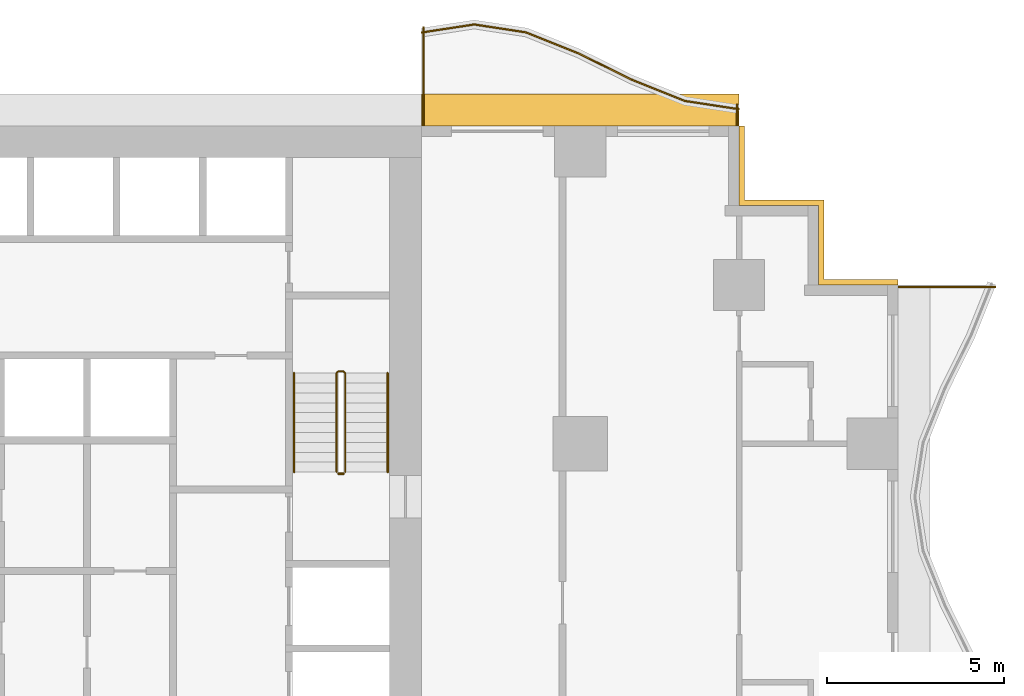
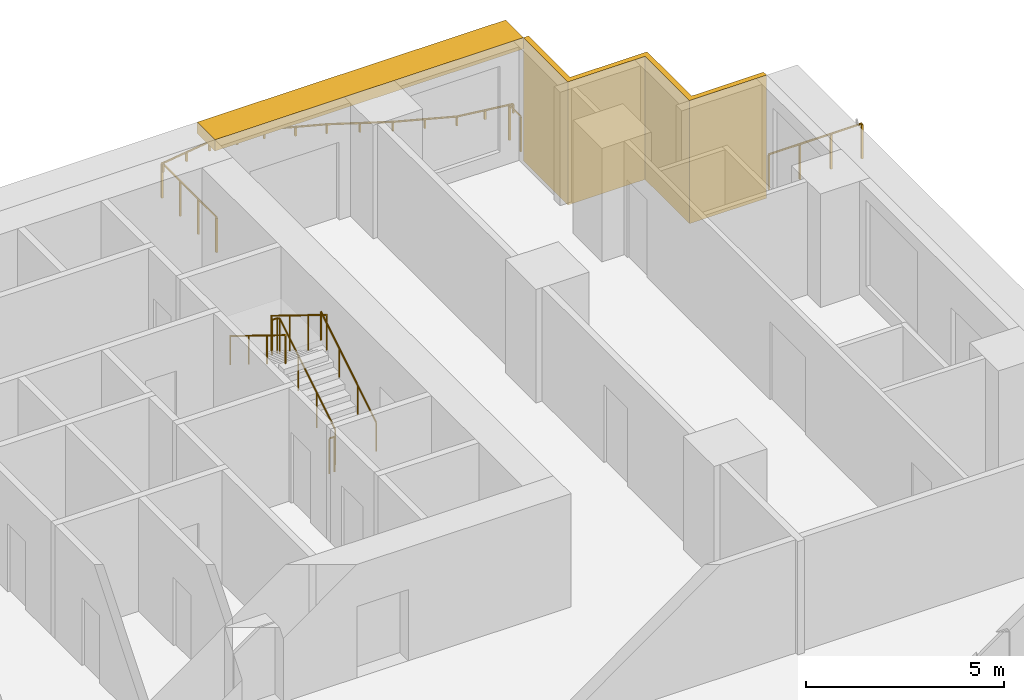
# One storey, part 14 of 14: 8 railings, 2 shading devices.
"""IFC4 building model written with IfcOpenShell, lengths in metres."""

from ifc_helpers import new_model, si_unit, direction, frame, origin, origin_2d, place, context, subcontext, project, spatial, polyline, rectangle, circle, outline, extrude, material, layer, layer_set, type_object, element, save


model = new_model("IFC4")

# Units and contexts
model_context = context("Model", 3, precision=1e-05, world=origin(), true_north=direction((0.0, 1.0)))
body_context = subcontext(model_context, "Body", "Model", "MODEL_VIEW")
ifc_project = project(units=[si_unit("LENGTHUNIT", "METRE"), si_unit("AREAUNIT", "SQUARE_METRE"), si_unit("VOLUMEUNIT", "CUBIC_METRE"), si_unit("PLANEANGLEUNIT", "RADIAN"), si_unit("MASSUNIT", "GRAM", prefix="KILO")], contexts=[model_context])

# Site, building, storey
site_placement = place(None, origin())
site = spatial("IfcSite", under=ifc_project, at=site_placement, CompositionType="ELEMENT")
building_placement = place(site_placement, origin())
building = spatial("IfcBuilding", under=site, at=building_placement, Name="Orbiselva Terraces", CompositionType="ELEMENT")
storey_placement = place(building_placement, frame((0.0, 0.0, 37.8)))
storey = spatial("IfcBuildingStorey", under=building, at=storey_placement, Name="L09", CompositionType="ELEMENT", Elevation=37.8)

# Railings
ifc_material_1 = material(Name="Stainless steel", Category="steel")
railing_type_1 = type_object("IfcRailingType", Name="CORE-GUARD-1100", PredefinedType="GUARDRAIL", material=ifc_material_1)
railing_1_placement = place(storey_placement, frame((11.35, 12.7, 0.172727)))
element("IfcRailing", 1, at=railing_1_placement, inside=storey, type_object=railing_type_1, Name="L09 S2 stair guard 1", PredefinedType="GUARDRAIL", context=body_context, shape_type="SweptSolid", body=[
    extrude(circle(Radius=0.024, at=origin_2d()), frame((0.0, 0.0, 1.081), z_axis=(0.0, 0.851088519012, 0.52502222125), x_axis=(-1.0, 0.0, 0.0)), (0.0, 0.0, 1.0), 3.289905),
    extrude(circle(Radius=0.024, at=origin_2d()), frame((0.0, 2.8, 2.808273), z_axis=(-0.707106781187, 0.707106781187, 0.0), x_axis=(-0.707106781187, -0.707106781187, 0.0)), (0.0, 0.0, 1.0), 0.070711),
    extrude(circle(Radius=0.024, at=origin_2d()), frame((-0.05, 2.85, 2.808273), z_axis=(-1.0, 0.0, 0.0), x_axis=(0.0, -1.0, 0.0)), (0.0, 0.0, 1.0), 0.15),
    extrude(circle(Radius=0.024, at=origin_2d()), frame((-0.2, 2.85, 2.808273), z_axis=(-0.267894925557, -0.267894925557, 0.925453736133), x_axis=(0.707106781187, -0.707106781187, 0.0)), (0.0, 0.0, 1.0), 0.18664),
    extrude(circle(Radius=0.024, at=origin_2d()), frame((-0.25, 2.8, 2.981), z_axis=(0.0, -0.851088519012, 0.52502222125), x_axis=(1.0, 0.0, 0.0)), (0.0, 0.0, 1.0), 3.289905),
    extrude(circle(Radius=0.021, at=origin_2d()), origin(), (0.0, 0.0, 1.0), 1.057),
    extrude(circle(Radius=0.021, at=origin_2d()), frame((0.0, 0.933333, 0.575758)), (0.0, 0.0, 1.0), 1.057),
    extrude(circle(Radius=0.021, at=origin_2d()), frame((0.0, 1.866667, 1.151515)), (0.0, 0.0, 1.0), 1.057),
    extrude(circle(Radius=0.021, at=origin_2d()), frame((0.0, 2.8, 1.727273)), (0.0, 0.0, 1.0), 1.057),
    extrude(circle(Radius=0.021, at=origin_2d()), frame((-0.05, 2.85, 1.727273)), (0.0, 0.0, 1.0), 1.057),
    extrude(circle(Radius=0.021, at=origin_2d()), frame((-0.2, 2.85, 1.727273)), (0.0, 0.0, 1.0), 1.057),
    extrude(circle(Radius=0.021, at=origin_2d()), frame((-0.25, 2.8, 1.9)), (0.0, 0.0, 1.0), 1.057),
    extrude(circle(Radius=0.021, at=origin_2d()), frame((-0.25, 1.866667, 2.475758)), (0.0, 0.0, 1.0), 1.057),
    extrude(circle(Radius=0.021, at=origin_2d()), frame((-0.25, 0.933333, 3.051515)), (0.0, 0.0, 1.0), 1.057),
    extrude(circle(Radius=0.021, at=origin_2d()), frame((-0.25, 0.0, 3.627273)), (0.0, 0.0, 1.0), 1.057),
])
railing_2_placement = place(storey_placement, frame((11.3, 12.65, 0.0)))
element("IfcRailing", 2, at=railing_2_placement, inside=storey, type_object=railing_type_1, Name="L09 S2 stair guard 2", PredefinedType="GUARDRAIL", context=body_context, shape_type="SweptSolid", body=[
    extrude(circle(Radius=0.024, at=origin_2d()), frame((0.0, 0.0, 1.081), z_axis=(-1.0, 0.0, 0.0), x_axis=(0.0, -1.0, 0.0)), (0.0, 0.0, 1.0), 0.15),
    extrude(circle(Radius=0.021, at=origin_2d()), origin(), (0.0, 0.0, 1.0), 1.057),
    extrude(circle(Radius=0.021, at=origin_2d()), frame((-0.15, 0.0, 0.0)), (0.0, 0.0, 1.0), 1.057),
])
railing_type_2 = type_object("IfcRailingType", Name="CORE-HANDRAIL-900", PredefinedType="HANDRAIL", material=ifc_material_1)
railing_3_placement = place(storey_placement, frame((12.55, 12.7, 0.172727)))
element("IfcRailing", 3, at=railing_3_placement, inside=storey, type_object=railing_type_2, Name="L09 S2 stair handrail 1", PredefinedType="HANDRAIL", context=body_context, shape_type="SweptSolid", body=[
    extrude(circle(Radius=0.024, at=origin_2d()), frame((0.0, 0.0, 0.876), z_axis=(0.0, 0.851088519012, 0.52502222125), x_axis=(-1.0, 0.0, 0.0)), (0.0, 0.0, 1.0), 3.289905),
    extrude(circle(Radius=0.021, at=origin_2d()), origin(), (0.0, 0.0, 1.0), 0.852),
    extrude(circle(Radius=0.021, at=origin_2d()), frame((0.0, 0.933333, 0.575758)), (0.0, 0.0, 1.0), 0.852),
    extrude(circle(Radius=0.021, at=origin_2d()), frame((0.0, 1.866667, 1.151515)), (0.0, 0.0, 1.0), 0.852),
    extrude(circle(Radius=0.021, at=origin_2d()), frame((0.0, 2.8, 1.727273)), (0.0, 0.0, 1.0), 0.852),
])
railing_4_placement = place(storey_placement, frame((9.9, 15.5, 2.072727)))
element("IfcRailing", 4, at=railing_4_placement, inside=storey, type_object=railing_type_2, Name="L09 S2 stair handrail 2", PredefinedType="HANDRAIL", context=body_context, shape_type="SweptSolid", body=[
    extrude(circle(Radius=0.024, at=origin_2d()), frame((0.0, 0.0, 0.876), z_axis=(0.0, -0.851088519012, 0.52502222125), x_axis=(1.0, 0.0, 0.0)), (0.0, 0.0, 1.0), 3.289905),
    extrude(circle(Radius=0.021, at=origin_2d()), origin(), (0.0, 0.0, 1.0), 0.852),
    extrude(circle(Radius=0.021, at=origin_2d()), frame((0.0, -0.933333, 0.575758)), (0.0, 0.0, 1.0), 0.852),
    extrude(circle(Radius=0.021, at=origin_2d()), frame((0.0, -1.866667, 1.151515)), (0.0, 0.0, 1.0), 0.852),
    extrude(circle(Radius=0.021, at=origin_2d()), frame((0.0, -2.8, 1.727273)), (0.0, 0.0, 1.0), 0.852),
])
ifc_material_2 = material(Name="Bonded two-ply safety glass balustrade, stainless steel posts", Category="steel")
railing_type_3 = type_object("IfcRailingType", Name="ENV-BALUSTRADE-1200", PredefinedType="BALUSTRADE", material=ifc_material_2)
railing_5_placement = place(storey_placement, frame((22.481121, 22.976434, 0.9)))
element("IfcRailing", 5, at=railing_5_placement, inside=storey, type_object=railing_type_3, Name="Balcony balustrade L09 NE", PredefinedType="BALUSTRADE", context=body_context, shape_type="SweptSolid", body=[
    extrude(outline(polyline([(0.028868, 0.0), (0.014434, 0.025), (-0.014434, 0.025), (-0.028868, 0.0), (-0.014434, -0.025), (0.014434, -0.025), (0.028868, 0.0)])), frame((0.0, 0.0, 0.275), z_axis=(-0.988528588529, 0.151033869252, 0.0), x_axis=(-0.151033869252, -0.988528588529, 0.0)), (0.0, 0.0, 1.0), 1.531776),
    extrude(outline(polyline([(0.028868, 0.0), (0.014434, 0.025), (-0.014434, 0.025), (-0.028868, 0.0), (-0.014434, -0.025), (0.014434, -0.025), (0.028868, 0.0)])), frame((-1.514204, 0.23135, 0.275), z_axis=(-0.92847681744, 0.371390359967, 0.0), x_axis=(-0.371390359967, -0.92847681744, 0.0)), (0.0, 0.0, 1.0), 1.634838),
    extrude(outline(polyline([(0.028868, 0.0), (0.014434, 0.025), (-0.014434, 0.025), (-0.028868, 0.0), (-0.014434, -0.025), (0.014434, -0.025), (0.028868, 0.0)])), frame((-3.032113, 0.838513, 0.275), z_axis=(-0.896416672454, 0.443212307306, 0.0), x_axis=(-0.443212307306, -0.896416672454, 0.0)), (0.0, 0.0, 1.0), 1.673329),
    extrude(outline(polyline([(0.028868, 0.0), (0.014434, 0.025), (-0.014434, 0.025), (-0.028868, 0.0), (-0.014434, -0.025), (0.014434, -0.025), (0.028868, 0.0)])), frame((-4.532113, 1.580153, 0.275), z_axis=(-0.928476561272, 0.371391000387, 0.0), x_axis=(-0.371391000387, -0.928476561272, 0.0)), (0.0, 0.0, 1.0), 1.596261),
    extrude(outline(polyline([(0.028868, 0.0), (0.014434, 0.025), (-0.014434, 0.025), (-0.028868, 0.0), (-0.014434, -0.025), (0.014434, -0.025), (0.028868, 0.0)])), frame((-6.014204, 2.17299, 0.275), z_axis=(-0.988528606898, 0.151033749027, 0.0), x_axis=(-0.151033749027, -0.988528606898, 0.0)), (0.0, 0.0, 1.0), 1.48394),
    extrude(outline(polyline([(0.028868, 0.0), (0.014434, 0.025), (-0.014434, 0.025), (-0.028868, 0.0), (-0.014434, -0.025), (0.014434, -0.025), (0.028868, 0.0)])), frame((-7.481121, 2.397115, 0.275), z_axis=(-0.988528624669, -0.151033632714, 0.0), x_axis=(0.151033632714, -0.988528624669, 0.0)), (0.0, 0.0, 1.0), 1.498309),
    extrude(rectangle(XDim=0.05, YDim=0.05, at=origin_2d()), origin(), (0.0, 0.0, 1.0), 0.25),
    extrude(rectangle(XDim=0.05, YDim=0.05, at=origin_2d()), frame((-0.757102, 0.115675, 0.0)), (0.0, 0.0, 1.0), 0.25),
    extrude(rectangle(XDim=0.05, YDim=0.05, at=origin_2d()), frame((-1.514204, 0.23135, 0.0)), (0.0, 0.0, 1.0), 0.25),
    extrude(rectangle(XDim=0.05, YDim=0.05, at=origin_2d()), frame((-2.273159, 0.534931, 0.0)), (0.0, 0.0, 1.0), 0.25),
    extrude(rectangle(XDim=0.05, YDim=0.05, at=origin_2d()), frame((-3.032113, 0.838513, 0.0)), (0.0, 0.0, 1.0), 0.25),
    extrude(rectangle(XDim=0.05, YDim=0.05, at=origin_2d()), frame((-3.782113, 1.209333, 0.0)), (0.0, 0.0, 1.0), 0.25),
    extrude(rectangle(XDim=0.05, YDim=0.05, at=origin_2d()), frame((-4.532113, 1.580153, 0.0)), (0.0, 0.0, 1.0), 0.25),
    extrude(rectangle(XDim=0.05, YDim=0.05, at=origin_2d()), frame((-5.273159, 1.876571, 0.0)), (0.0, 0.0, 1.0), 0.25),
    extrude(rectangle(XDim=0.05, YDim=0.05, at=origin_2d()), frame((-6.014204, 2.17299, 0.0)), (0.0, 0.0, 1.0), 0.25),
    extrude(rectangle(XDim=0.05, YDim=0.05, at=origin_2d()), frame((-6.747663, 2.285052, 0.0)), (0.0, 0.0, 1.0), 0.25),
    extrude(rectangle(XDim=0.05, YDim=0.05, at=origin_2d()), frame((-7.481121, 2.397115, 0.0)), (0.0, 0.0, 1.0), 0.25),
    extrude(rectangle(XDim=0.05, YDim=0.05, at=origin_2d()), frame((-8.221682, 2.283967, 0.0)), (0.0, 0.0, 1.0), 0.25),
    extrude(rectangle(XDim=0.05, YDim=0.05, at=origin_2d()), frame((-8.962242, 2.17082, 0.0)), (0.0, 0.0, 1.0), 0.25),
])
ifc_material_3 = material(Name="Stainless steel rail and posts", Category="steel")
railing_type_4 = type_object("IfcRailingType", Name="ENV-GUARD-1105", PredefinedType="BALUSTRADE", material=ifc_material_3)
railing_6_placement = place(storey_placement, frame((29.752788, 17.94, 0.0)))
element("IfcRailing", 6, at=railing_6_placement, inside=storey, type_object=railing_type_4, Name="Balcony end guard L09 E", PredefinedType="BALUSTRADE", context=body_context, shape_type="SweptSolid", body=[
    extrude(outline(polyline([(0.028868, 0.0), (0.014434, 0.025), (-0.014434, 0.025), (-0.028868, 0.0), (-0.014434, -0.025), (0.014434, -0.025), (0.028868, 0.0)])), frame((0.0, 0.0, 1.08), z_axis=(-1.0, 0.0, 0.0), x_axis=(0.0, -1.0, 0.0)), (0.0, 0.0, 1.0), 2.727788),
    extrude(rectangle(XDim=0.05, YDim=0.05, at=origin_2d()), origin(), (0.0, 0.0, 1.0), 1.055),
    extrude(rectangle(XDim=0.05, YDim=0.05, at=origin_2d()), frame((-0.909263, 0.0, 0.0)), (0.0, 0.0, 1.0), 1.055),
    extrude(rectangle(XDim=0.05, YDim=0.05, at=origin_2d()), frame((-1.818525, 0.0, 0.0)), (0.0, 0.0, 1.0), 1.055),
    extrude(rectangle(XDim=0.05, YDim=0.05, at=origin_2d()), frame((-2.727788, 0.0, 0.0)), (0.0, 0.0, 1.0), 1.055),
])
railing_7_placement = place(storey_placement, frame((22.44, 23.100379, 0.0)))
element("IfcRailing", 7, at=railing_7_placement, inside=storey, type_object=railing_type_4, Name="Balcony end guard L09 NE", PredefinedType="BALUSTRADE", context=body_context, shape_type="SweptSolid", body=[
    extrude(outline(polyline([(0.028868, 0.0), (0.014434, 0.025), (-0.014434, 0.025), (-0.028868, 0.0), (-0.014434, -0.025), (0.014434, -0.025), (0.028868, 0.0)])), frame((0.0, 0.0, 1.08), z_axis=(0.0, -1.0, 0.0), x_axis=(1.0, 0.0, 0.0)), (0.0, 0.0, 1.0), 0.575379),
    extrude(rectangle(XDim=0.05, YDim=0.05, at=origin_2d()), origin(), (0.0, 0.0, 1.0), 1.055),
    extrude(rectangle(XDim=0.05, YDim=0.05, at=origin_2d()), frame((0.0, -0.575379, 0.0)), (0.0, 0.0, 1.0), 1.055),
])
railing_8_placement = place(storey_placement, frame((13.56, 25.288239, 0.0)))
element("IfcRailing", 8, at=railing_8_placement, inside=storey, type_object=railing_type_4, Name="Balcony end guard L09 NE", PredefinedType="BALUSTRADE", context=body_context, shape_type="SweptSolid", body=[
    extrude(outline(polyline([(0.028868, 0.0), (0.014434, 0.025), (-0.014434, 0.025), (-0.028868, 0.0), (-0.014434, -0.025), (0.014434, -0.025), (0.028868, 0.0)])), frame((0.0, 0.0, 1.08), z_axis=(0.0, -1.0, 0.0), x_axis=(1.0, 0.0, 0.0)), (0.0, 0.0, 1.0), 2.763239),
    extrude(rectangle(XDim=0.05, YDim=0.05, at=origin_2d()), origin(), (0.0, 0.0, 1.0), 1.055),
    extrude(rectangle(XDim=0.05, YDim=0.05, at=origin_2d()), frame((0.0, -0.92108, 0.0)), (0.0, 0.0, 1.0), 1.055),
    extrude(rectangle(XDim=0.05, YDim=0.05, at=origin_2d()), frame((0.0, -1.842159, 0.0)), (0.0, 0.0, 1.0), 1.055),
    extrude(rectangle(XDim=0.05, YDim=0.05, at=origin_2d()), frame((0.0, -2.763239, 0.0)), (0.0, 0.0, 1.0), 1.055),
])

# Shading devices
ifc_material_4 = material(Name="Terracotta louvre screen", Category="masonry")
ifc_layer_1 = layer(ifc_material_4, 0.15)
ifc_layer_set_1 = layer_set([ifc_layer_1], Name="Terracotta louvre screen")
shading_device_type_1 = type_object("IfcShadingDeviceType", Name="ENV-SCREEN-150", PredefinedType="USERDEFINED", material=ifc_layer_set_1)
shading_device_1_placement = place(storey_placement, frame((0.0, 0.0, -0.3)))
element("IfcShadingDevice", 9, at=shading_device_1_placement, inside=storey, type_object=shading_device_type_1, Name="Louvre screen L09 NE", ObjectType="SCREEN", PredefinedType="USERDEFINED", context=body_context, shape_type="SweptSolid", body=[
    extrude(outline(polyline([(27.0, 18.15), (24.9, 18.15), (24.9, 20.4), (22.65, 20.4), (22.65, 22.5), (22.5, 22.5), (22.5, 20.25), (24.75, 20.25), (24.75, 18.0), (27.0, 18.0), (27.0, 18.15)])), origin(), (0.0, 0.0, 1.0), 3.8),
])
ifc_material_5 = material(Name="Terracotta baguette sunshade", Category="masonry")
ifc_layer_2 = layer(ifc_material_5, 0.35)
ifc_layer_set_2 = layer_set([ifc_layer_2], Name="Terracotta baguette sunshade")
shading_device_type_2 = type_object("IfcShadingDeviceType", Name="ENV-SUNSHADE-900x350", PredefinedType="USERDEFINED", material=ifc_layer_set_2)
shading_device_2_placement = place(storey_placement, frame((0.0, 0.0, 3.15)))
element("IfcShadingDevice", 10, at=shading_device_2_placement, inside=storey, type_object=shading_device_type_2, Name="Sunshade band L09 NE", ObjectType="SUNSHADE", PredefinedType="USERDEFINED", context=body_context, shape_type="SweptSolid", body=[
    extrude(outline(polyline([(22.5, 23.4), (13.5, 23.4), (13.5, 22.5), (22.5, 22.5), (22.5, 23.4)])), origin(), (0.0, 0.0, 1.0), 0.35),
])

save(model, "model.ifc")
